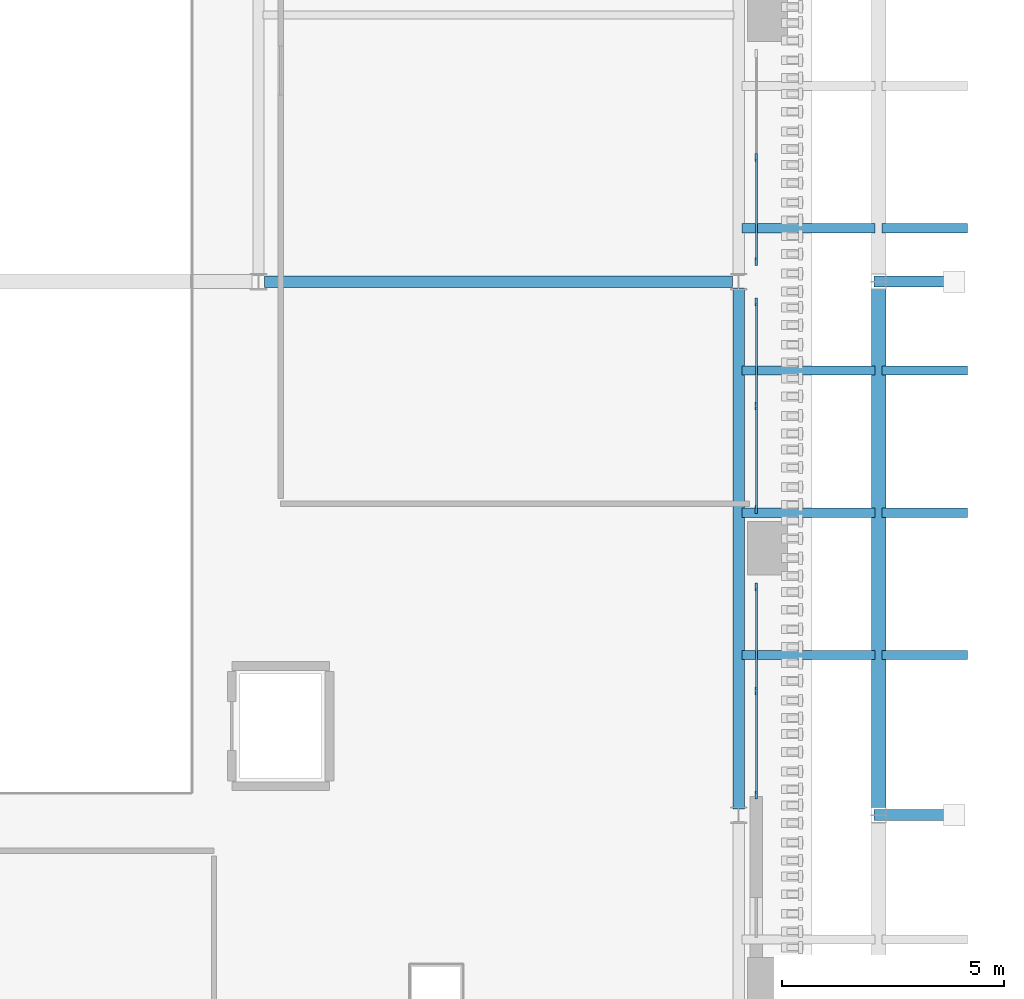
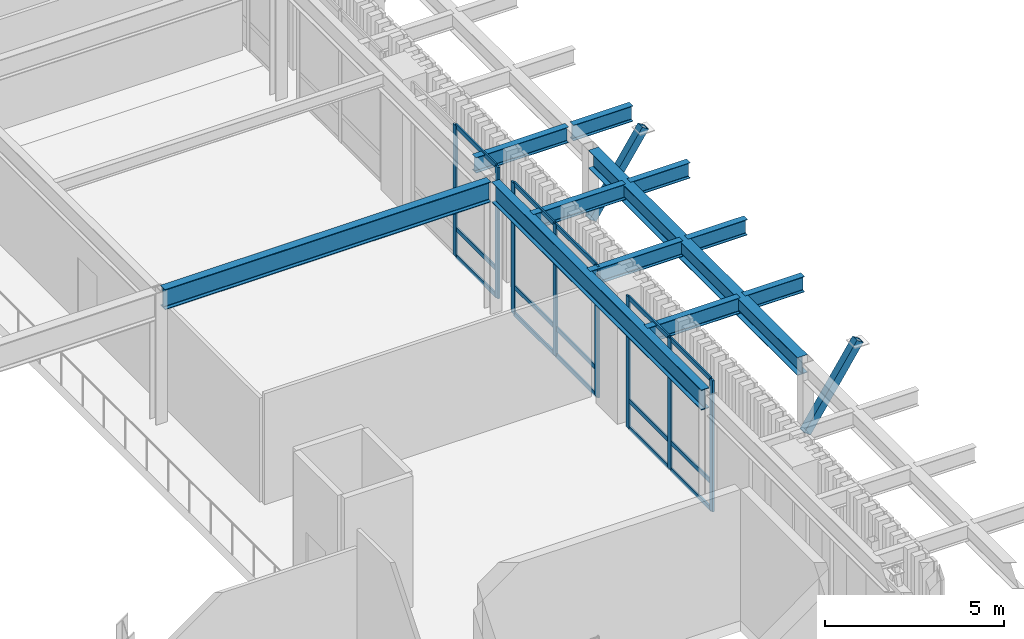
# One storey, part 48 of 126: 25 members, 11 beams, 3 elements without a shape of their own.
"""IFC4 building model written with IfcOpenShell, lengths in metres."""

from ifc_helpers import new_model, si_unit, derived_unit, direction, frame, origin, origin_2d, place, context, subcontext, project, spatial, rectangle, hollow_rectangle, i_section, extrude, material, layer, layer_set, material_profile, profile_set, type_object, element, aggregate, save


model = new_model("IFC4")

# Units and contexts
model_context = context("Model", 3, precision=1e-05, world=origin(), true_north=direction((0.0, 1.0)))
body_context = subcontext(model_context, "Body", "Model", "MODEL_VIEW")
ifc_project = project(units=[si_unit("LENGTHUNIT", "METRE"), si_unit("AREAUNIT", "SQUARE_METRE"), si_unit("VOLUMEUNIT", "CUBIC_METRE"), si_unit("PLANEANGLEUNIT", "RADIAN"), si_unit("MASSUNIT", "GRAM", prefix="KILO"), derived_unit("THERMALTRANSMITTANCEUNIT", [(si_unit("MASSUNIT", "GRAM", prefix="KILO"), 1), (si_unit("TIMEUNIT", "SECOND"), -3), (si_unit("THERMODYNAMICTEMPERATUREUNIT", "KELVIN"), -1)])], contexts=[model_context])

# Site, building, storey
site_placement = place(None, origin())
site = spatial("IfcSite", under=ifc_project, at=site_placement, CompositionType="ELEMENT")
building_placement = place(site_placement, origin())
building = spatial("IfcBuilding", under=site, at=building_placement, Name="Valcora Ridge Arena", CompositionType="ELEMENT")
storey_placement = place(building_placement, frame((0.0, 0.0, 11.39990234375)))
storey = spatial("IfcBuildingStorey", under=building, at=storey_placement, Name="L02", CompositionType="ELEMENT", Elevation=11.39990234375)

# Beams
ifc_material_1 = material(Name="Steel ASTM A572 Grade 50", Category="steel")
ifc_material_profile_1 = material_profile(ifc_material_1, i_section(OverallWidth=0.324951171875, OverallDepth=0.612060546875, WebThickness=0.0126953125, FlangeThickness=0.01904296875, FilletRadius=0.01806640625, at=origin_2d()), Name="W24X104")
ifc_profile_set_1 = profile_set([ifc_material_profile_1], Name="Steel ASTM A572 Grade 50")
beam_type_1 = type_object("IfcBeamType", Name="TY-BEAM-G-COL-W24", PredefinedType="BEAM", material=ifc_profile_set_1)
beam_1_placement = place(storey_placement, frame((189.949951171875, 16.159912109375, 4.174072265625), z_axis=(0.0, 1.0, 0.0), x_axis=(-1.0, 0.0, 0.0)))
element("IfcBeam", 1, at=beam_1_placement, inside=storey, type_object=beam_type_1, Name="G-COL-W24 BEM-G-COL-W24-0004", PredefinedType="BEAM", context=body_context, shape_type="SweptSolid", body=[
    extrude(i_section(OverallWidth=0.324951171875, OverallDepth=0.612060546875, WebThickness=0.0126953125, FlangeThickness=0.01904296875, FilletRadius=0.01806640625, at=origin_2d()), origin(), (0.0, 0.0, 1.0), 11.68017578125),
])
ifc_material_profile_2 = material_profile(ifc_material_1, i_section(OverallWidth=0.256103515625, OverallDepth=0.693115234375, WebThickness=0.014404296875, FlangeThickness=0.023681640625, FilletRadius=0.02001953125, at=origin_2d()), Name="W27X114")
ifc_profile_set_2 = profile_set([ifc_material_profile_2], Name="Steel ASTM A572 Grade 50")
beam_type_2 = type_object("IfcBeamType", Name="TY-BEAM-G-W27X114-X", PredefinedType="BEAM", material=ifc_profile_set_2)
beam_2_placement = place(storey_placement, frame((176.139892578125, 28.0, 4.133544921875), z_axis=(1.0, 0.0, 0.0), x_axis=(0.0, 1.0, 0.0)))
element("IfcBeam", 2, at=beam_2_placement, inside=storey, type_object=beam_type_2, Name="G-W27X114-X BEM-G-W27X114-X-0042", PredefinedType="BEAM", context=body_context, shape_type="SweptSolid", body=[
    extrude(i_section(OverallWidth=0.256103515625, OverallDepth=0.693115234375, WebThickness=0.014404296875, FlangeThickness=0.023681640625, FilletRadius=0.02001953125, at=origin_2d()), origin(), (0.0, 0.0, 1.0), 10.52001953125),
])
ifc_material_profile_3 = material_profile(ifc_material_1, i_section(OverallWidth=0.256103515625, OverallDepth=0.693115234375, WebThickness=0.014404296875, FlangeThickness=0.023681640625, FilletRadius=0.02001953125, at=origin_2d()), Name="W27X114")
ifc_profile_set_3 = profile_set([ifc_material_profile_3], Name="Steel ASTM A572 Grade 50")
beam_type_3 = type_object("IfcBeamType", Name="TY-BEAM-G-W27X114-Y", PredefinedType="BEAM", material=ifc_profile_set_3)
beam_3_placement = place(storey_placement, frame((186.800048828125, 16.139892578125, 4.133544921875), z_axis=(0.0, 1.0, 0.0), x_axis=(-1.0, 0.0, 0.0)))
element("IfcBeam", 3, at=beam_3_placement, inside=storey, type_object=beam_type_3, Name="G-W27X114-Y BEM-G-W27X114-Y-0080", PredefinedType="BEAM", context=body_context, shape_type="SweptSolid", body=[
    extrude(i_section(OverallWidth=0.256103515625, OverallDepth=0.693115234375, WebThickness=0.014404296875, FlangeThickness=0.023681640625, FilletRadius=0.02001953125, at=origin_2d()), origin(), (0.0, 0.0, 1.0), 11.72021484375),
])
ifc_material_profile_4 = material_profile(ifc_material_1, i_section(OverallWidth=0.208984375, OverallDepth=0.532958984375, WebThickness=0.01025390625, FlangeThickness=0.015625, FilletRadius=0.01611328125, at=origin_2d()), Name="W21X62")
ifc_profile_set_4 = profile_set([ifc_material_profile_4], Name="Steel ASTM A572 Grade 50")
beam_type_4 = type_object("IfcBeamType", Name="TY-BEAM-RAF-EAVE-W21E", PredefinedType="BEAM", material=ifc_profile_set_4)
for number, where, z_axis, x_axis, name in (
    (4, (186.8798828125, 19.60009765625, 4.213623046875), (1.0, 0.0, 0.0), (0.0, 1.0, 0.0), "RAF-EAVE-W21E BEM-RAF-EAVE-W21E-0004"),
    (5, (186.8798828125, 22.800048828125, 4.213623046875), (1.0, 0.0, 0.0), (0.0, 1.0, 0.0), "RAF-EAVE-W21E BEM-RAF-EAVE-W21E-0005"),
    (6, (186.8798828125, 26.0, 4.213623046875), (1.0, 0.0, 0.0), (0.0, 1.0, 0.0), "RAF-EAVE-W21E BEM-RAF-EAVE-W21E-0006"),
    (7, (186.8798828125, 29.199951171875, 4.213623046875), (1.0, 0.0, 0.0), (0.0, 1.0, 0.0), "RAF-EAVE-W21E BEM-RAF-EAVE-W21E-0007"),
):
    element("IfcBeam", number, at=place(storey_placement, frame(where, z_axis=z_axis, x_axis=x_axis)), inside=storey, type_object=beam_type_4, Name=name, PredefinedType="BEAM", context=body_context, shape_type="SweptSolid", body=[
        extrude(i_section(OverallWidth=0.208984375, OverallDepth=0.532958984375, WebThickness=0.01025390625, FlangeThickness=0.015625, FilletRadius=0.01611328125, at=origin_2d()), origin(), (0.0, 0.0, 1.0), 2.990234375),
    ])
ifc_material_profile_5 = material_profile(ifc_material_1, i_section(OverallWidth=0.208984375, OverallDepth=0.532958984375, WebThickness=0.01025390625, FlangeThickness=0.015625, FilletRadius=0.01611328125, at=origin_2d()), Name="W21X62")
ifc_profile_set_5 = profile_set([ifc_material_profile_5], Name="Steel ASTM A572 Grade 50")
beam_type_5 = type_object("IfcBeamType", Name="TY-BEAM-RAF-TIP-W21E", PredefinedType="BEAM", material=ifc_profile_set_5)
for number, where, z_axis, x_axis, name in (
    (8, (190.030029296875, 19.60009765625, 4.213623046875), (1.0, 0.0, 0.0), (0.0, 1.0, 0.0), "RAF-TIP-W21E BEM-RAF-TIP-W21E-0004"),
    (9, (190.030029296875, 22.800048828125, 4.213623046875), (1.0, 0.0, 0.0), (0.0, 1.0, 0.0), "RAF-TIP-W21E BEM-RAF-TIP-W21E-0005"),
    (10, (190.030029296875, 26.0, 4.213623046875), (1.0, 0.0, 0.0), (0.0, 1.0, 0.0), "RAF-TIP-W21E BEM-RAF-TIP-W21E-0006"),
    (11, (190.030029296875, 29.199951171875, 4.213623046875), (1.0, 0.0, 0.0), (0.0, 1.0, 0.0), "RAF-TIP-W21E BEM-RAF-TIP-W21E-0007"),
):
    element("IfcBeam", number, at=place(storey_placement, frame(where, z_axis=z_axis, x_axis=x_axis)), inside=storey, type_object=beam_type_5, Name=name, PredefinedType="BEAM", context=body_context, shape_type="SweptSolid", body=[
        extrude(i_section(OverallWidth=0.208984375, OverallDepth=0.532958984375, WebThickness=0.01025390625, FlangeThickness=0.015625, FilletRadius=0.01611328125, at=origin_2d()), origin(), (0.0, 0.0, 1.0), 1.919921875),
    ])

# Curtain wall, members
ifc_material_2 = material(Name="Anodised dark bronze architectural aluminium 6063-T6", Category="aluminium")
ifc_layer = layer(ifc_material_2, 0.179931640625, Name="Anodised dark bronze architectural aluminium 6063-T6")
ifc_layer_set = layer_set([ifc_layer], Name="Anodised dark bronze architectural aluminium 6063-T6")
curtain_wall_type = type_object("IfcCurtainWallType", Name="TY-CURTAINWALL-CW-V2-GLAZ-047X45", PredefinedType="NOTDEFINED", material=ifc_layer_set)
curtain_wall_1_placement = place(storey_placement, origin())
curtain_wall_1 = element("IfcCurtainWall", 12, at=curtain_wall_1_placement, inside=storey, type_object=curtain_wall_type, Name="CW-V2-GLAZ-047X45 CW-0071", PredefinedType="NOTDEFINED")
ifc_material_profile_6 = material_profile(ifc_material_2, rectangle(XDim=0.06005859375, YDim=0.179931640625, at=origin_2d()), Name="ALU MULLION 60x180")
ifc_profile_set_6 = profile_set([ifc_material_profile_6], Name="Anodised dark bronze architectural aluminium 6063-T6")
member_type_1 = type_object("IfcMemberType", Name="TY-MEM-CWM-60x180", PredefinedType="MULLION", material=ifc_profile_set_6)
member_1_placement = place(storey_placement, frame((187.199951171875, 16.45654296875, 0.0), z_axis=(0.0, 0.0, 1.0), x_axis=(-1.0, 0.0, 0.0)))
member_1 = element("IfcMember", 13, at=member_1_placement, type_object=member_type_1, Name="CW-0071/CWM-60x180/M00", PredefinedType="MULLION", context=body_context, shape_type="SweptSolid", body=[
    extrude(rectangle(XDim=0.06005859375, YDim=0.179931640625, at=origin_2d()), origin(), (0.0, 0.0, 1.0), 4.47998046875),
])
member_2_placement = place(storey_placement, frame((187.199951171875, 18.793212890625, 0.0), z_axis=(0.0, 0.0, 1.0), x_axis=(-1.0, 0.0, 0.0)))
member_2 = element("IfcMember", 14, at=member_2_placement, type_object=member_type_1, Name="CW-0071/CWM-60x180/M01", PredefinedType="MULLION", context=body_context, shape_type="SweptSolid", body=[
    extrude(rectangle(XDim=0.06005859375, YDim=0.179931640625, at=origin_2d()), origin(), (0.0, 0.0, 1.0), 4.47998046875),
])
member_3_placement = place(storey_placement, frame((187.199951171875, 21.1298828125, 0.0), z_axis=(0.0, 0.0, 1.0), x_axis=(-1.0, 0.0, 0.0)))
member_3 = element("IfcMember", 15, at=member_3_placement, type_object=member_type_1, Name="CW-0071/CWM-60x180/M02", PredefinedType="MULLION", context=body_context, shape_type="SweptSolid", body=[
    extrude(rectangle(XDim=0.06005859375, YDim=0.179931640625, at=origin_2d()), origin(), (0.0, 0.0, 1.0), 4.47998046875),
])

curtain_wall_2_placement = place(storey_placement, origin())
curtain_wall_2 = element("IfcCurtainWall", 16, at=curtain_wall_2_placement, inside=storey, type_object=curtain_wall_type, Name="CW-V2-GLAZ-047X45 CW-0072", PredefinedType="NOTDEFINED")
member_4_placement = place(storey_placement, frame((187.199951171875, 22.8701171875, 0.0), z_axis=(0.0, 0.0, 1.0), x_axis=(-1.0, 0.0, 0.0)))
member_4 = element("IfcMember", 17, at=member_4_placement, type_object=member_type_1, Name="CW-0072/CWM-60x180/M00", PredefinedType="MULLION", context=body_context, shape_type="SweptSolid", body=[
    extrude(rectangle(XDim=0.06005859375, YDim=0.179931640625, at=origin_2d()), origin(), (0.0, 0.0, 1.0), 4.47998046875),
])
member_5_placement = place(storey_placement, frame((187.199951171875, 25.206787109375, 0.0), z_axis=(0.0, 0.0, 1.0), x_axis=(-1.0, 0.0, 0.0)))
member_5 = element("IfcMember", 18, at=member_5_placement, type_object=member_type_1, Name="CW-0072/CWM-60x180/M01", PredefinedType="MULLION", context=body_context, shape_type="SweptSolid", body=[
    extrude(rectangle(XDim=0.06005859375, YDim=0.179931640625, at=origin_2d()), origin(), (0.0, 0.0, 1.0), 4.47998046875),
])
member_6_placement = place(storey_placement, frame((187.199951171875, 27.54345703125, 0.0), z_axis=(0.0, 0.0, 1.0), x_axis=(-1.0, 0.0, 0.0)))
member_6 = element("IfcMember", 19, at=member_6_placement, type_object=member_type_1, Name="CW-0072/CWM-60x180/M02", PredefinedType="MULLION", context=body_context, shape_type="SweptSolid", body=[
    extrude(rectangle(XDim=0.06005859375, YDim=0.179931640625, at=origin_2d()), origin(), (0.0, 0.0, 1.0), 4.47998046875),
])

curtain_wall_3_placement = place(storey_placement, origin())
curtain_wall_3 = element("IfcCurtainWall", 20, at=curtain_wall_3_placement, inside=storey, type_object=curtain_wall_type, Name="CW-V2-GLAZ-047X45 CW-0073", PredefinedType="NOTDEFINED")
member_7_placement = place(storey_placement, frame((187.199951171875, 28.45654296875, 0.0), z_axis=(0.0, 0.0, 1.0), x_axis=(-1.0, 0.0, 0.0)))
member_7 = element("IfcMember", 21, at=member_7_placement, type_object=member_type_1, Name="CW-0073/CWM-60x180/M00", PredefinedType="MULLION", context=body_context, shape_type="SweptSolid", body=[
    extrude(rectangle(XDim=0.06005859375, YDim=0.179931640625, at=origin_2d()), origin(), (0.0, 0.0, 1.0), 4.47998046875),
])
member_8_placement = place(storey_placement, frame((187.199951171875, 30.793212890625, 0.0), z_axis=(0.0, 0.0, 1.0), x_axis=(-1.0, 0.0, 0.0)))
member_8 = element("IfcMember", 22, at=member_8_placement, type_object=member_type_1, Name="CW-0073/CWM-60x180/M01", PredefinedType="MULLION", context=body_context, shape_type="SweptSolid", body=[
    extrude(rectangle(XDim=0.06005859375, YDim=0.179931640625, at=origin_2d()), origin(), (0.0, 0.0, 1.0), 4.47998046875),
])

# Member
ifc_material_profile_7 = material_profile(ifc_material_2, rectangle(XDim=0.050048828125, YDim=0.14990234375, at=origin_2d()), Name="ALU TRANSOM 50x150")
ifc_profile_set_7 = profile_set([ifc_material_profile_7], Name="Anodised dark bronze architectural aluminium 6063-T6")
member_type_2 = type_object("IfcMemberType", Name="TY-MEM-CWT-50x150", PredefinedType="USERDEFINED", material=ifc_profile_set_7)
member_9_placement = place(storey_placement, frame((187.199951171875, 16.486572265625, 0.025146484375), z_axis=(0.0, 1.0, 0.0), x_axis=(-1.0, 0.0, 0.0)))
member_9 = element("IfcMember", 23, at=member_9_placement, type_object=member_type_2, Name="CW-0071/CWT-50x150/T00-00", ObjectType="TRANSOM", PredefinedType="USERDEFINED", context=body_context, shape_type="SweptSolid", body=[
    extrude(rectangle(XDim=0.050048828125, YDim=0.14990234375, at=origin_2d()), origin(), (0.0, 0.0, 1.0), 2.27685546875),
])

member_10_placement = place(storey_placement, frame((187.199951171875, 16.486572265625, 0.9501953125), z_axis=(0.0, 1.0, 0.0), x_axis=(-1.0, 0.0, 0.0)))
member_10 = element("IfcMember", 24, at=member_10_placement, type_object=member_type_2, Name="CW-0071/CWT-50x150/T00-01", ObjectType="TRANSOM", PredefinedType="USERDEFINED", context=body_context, shape_type="SweptSolid", body=[
    extrude(rectangle(XDim=0.050048828125, YDim=0.14990234375, at=origin_2d()), origin(), (0.0, 0.0, 1.0), 2.27685546875),
])

member_11_placement = place(storey_placement, frame((187.199951171875, 16.486572265625, 4.455078125), z_axis=(0.0, 1.0, 0.0), x_axis=(-1.0, 0.0, 0.0)))
member_11 = element("IfcMember", 25, at=member_11_placement, type_object=member_type_2, Name="CW-0071/CWT-50x150/T00-02", ObjectType="TRANSOM", PredefinedType="USERDEFINED", context=body_context, shape_type="SweptSolid", body=[
    extrude(rectangle(XDim=0.050048828125, YDim=0.14990234375, at=origin_2d()), origin(), (0.0, 0.0, 1.0), 2.27685546875),
])

member_12_placement = place(storey_placement, frame((187.199951171875, 18.823486328125, 0.025146484375), z_axis=(0.0, 1.0, 0.0), x_axis=(-1.0, 0.0, 0.0)))
member_12 = element("IfcMember", 26, at=member_12_placement, type_object=member_type_2, Name="CW-0071/CWT-50x150/T01-00", ObjectType="TRANSOM", PredefinedType="USERDEFINED", context=body_context, shape_type="SweptSolid", body=[
    extrude(rectangle(XDim=0.050048828125, YDim=0.14990234375, at=origin_2d()), origin(), (0.0, 0.0, 1.0), 2.276123046875),
])

member_13_placement = place(storey_placement, frame((187.199951171875, 18.823486328125, 0.9501953125), z_axis=(0.0, 1.0, 0.0), x_axis=(-1.0, 0.0, 0.0)))
member_13 = element("IfcMember", 27, at=member_13_placement, type_object=member_type_2, Name="CW-0071/CWT-50x150/T01-01", ObjectType="TRANSOM", PredefinedType="USERDEFINED", context=body_context, shape_type="SweptSolid", body=[
    extrude(rectangle(XDim=0.050048828125, YDim=0.14990234375, at=origin_2d()), origin(), (0.0, 0.0, 1.0), 2.276123046875),
])

member_14_placement = place(storey_placement, frame((187.199951171875, 18.823486328125, 4.455078125), z_axis=(0.0, 1.0, 0.0), x_axis=(-1.0, 0.0, 0.0)))
member_14 = element("IfcMember", 28, at=member_14_placement, type_object=member_type_2, Name="CW-0071/CWT-50x150/T01-02", ObjectType="TRANSOM", PredefinedType="USERDEFINED", context=body_context, shape_type="SweptSolid", body=[
    extrude(rectangle(XDim=0.050048828125, YDim=0.14990234375, at=origin_2d()), origin(), (0.0, 0.0, 1.0), 2.276123046875),
])

aggregate(curtain_wall_1, [member_1, member_2, member_3, member_9, member_10, member_11, member_12, member_13, member_14])

member_15_placement = place(storey_placement, frame((187.199951171875, 22.89990234375, 0.025146484375), z_axis=(0.0, 1.0, 0.0), x_axis=(-1.0, 0.0, 0.0)))
member_15 = element("IfcMember", 29, at=member_15_placement, type_object=member_type_2, Name="CW-0072/CWT-50x150/T00-00", ObjectType="TRANSOM", PredefinedType="USERDEFINED", context=body_context, shape_type="SweptSolid", body=[
    extrude(rectangle(XDim=0.050048828125, YDim=0.14990234375, at=origin_2d()), origin(), (0.0, 0.0, 1.0), 2.277099609375),
])

member_16_placement = place(storey_placement, frame((187.199951171875, 22.89990234375, 0.9501953125), z_axis=(0.0, 1.0, 0.0), x_axis=(-1.0, 0.0, 0.0)))
member_16 = element("IfcMember", 30, at=member_16_placement, type_object=member_type_2, Name="CW-0072/CWT-50x150/T00-01", ObjectType="TRANSOM", PredefinedType="USERDEFINED", context=body_context, shape_type="SweptSolid", body=[
    extrude(rectangle(XDim=0.050048828125, YDim=0.14990234375, at=origin_2d()), origin(), (0.0, 0.0, 1.0), 2.277099609375),
])

member_17_placement = place(storey_placement, frame((187.199951171875, 22.89990234375, 4.455078125), z_axis=(0.0, 1.0, 0.0), x_axis=(-1.0, 0.0, 0.0)))
member_17 = element("IfcMember", 31, at=member_17_placement, type_object=member_type_2, Name="CW-0072/CWT-50x150/T00-02", ObjectType="TRANSOM", PredefinedType="USERDEFINED", context=body_context, shape_type="SweptSolid", body=[
    extrude(rectangle(XDim=0.050048828125, YDim=0.14990234375, at=origin_2d()), origin(), (0.0, 0.0, 1.0), 2.277099609375),
])

member_18_placement = place(storey_placement, frame((187.199951171875, 25.237060546875, 0.025146484375), z_axis=(0.0, 1.0, 0.0), x_axis=(-1.0, 0.0, 0.0)))
member_18 = element("IfcMember", 32, at=member_18_placement, type_object=member_type_2, Name="CW-0072/CWT-50x150/T01-00", ObjectType="TRANSOM", PredefinedType="USERDEFINED", context=body_context, shape_type="SweptSolid", body=[
    extrude(rectangle(XDim=0.050048828125, YDim=0.14990234375, at=origin_2d()), origin(), (0.0, 0.0, 1.0), 2.27587890625),
])

member_19_placement = place(storey_placement, frame((187.199951171875, 25.237060546875, 0.9501953125), z_axis=(0.0, 1.0, 0.0), x_axis=(-1.0, 0.0, 0.0)))
member_19 = element("IfcMember", 33, at=member_19_placement, type_object=member_type_2, Name="CW-0072/CWT-50x150/T01-01", ObjectType="TRANSOM", PredefinedType="USERDEFINED", context=body_context, shape_type="SweptSolid", body=[
    extrude(rectangle(XDim=0.050048828125, YDim=0.14990234375, at=origin_2d()), origin(), (0.0, 0.0, 1.0), 2.27587890625),
])

member_20_placement = place(storey_placement, frame((187.199951171875, 25.237060546875, 4.455078125), z_axis=(0.0, 1.0, 0.0), x_axis=(-1.0, 0.0, 0.0)))
member_20 = element("IfcMember", 34, at=member_20_placement, type_object=member_type_2, Name="CW-0072/CWT-50x150/T01-02", ObjectType="TRANSOM", PredefinedType="USERDEFINED", context=body_context, shape_type="SweptSolid", body=[
    extrude(rectangle(XDim=0.050048828125, YDim=0.14990234375, at=origin_2d()), origin(), (0.0, 0.0, 1.0), 2.27587890625),
])

aggregate(curtain_wall_2, [member_4, member_5, member_6, member_15, member_16, member_17, member_18, member_19, member_20])

member_21_placement = place(storey_placement, frame((187.199951171875, 28.486572265625, 0.025146484375), z_axis=(0.0, 1.0, 0.0), x_axis=(-1.0, 0.0, 0.0)))
member_21 = element("IfcMember", 35, at=member_21_placement, type_object=member_type_2, Name="CW-0073/CWT-50x150/T00-00", ObjectType="TRANSOM", PredefinedType="USERDEFINED", context=body_context, shape_type="SweptSolid", body=[
    extrude(rectangle(XDim=0.050048828125, YDim=0.14990234375, at=origin_2d()), origin(), (0.0, 0.0, 1.0), 2.27685546875),
])

member_22_placement = place(storey_placement, frame((187.199951171875, 28.486572265625, 0.9501953125), z_axis=(0.0, 1.0, 0.0), x_axis=(-1.0, 0.0, 0.0)))
member_22 = element("IfcMember", 36, at=member_22_placement, type_object=member_type_2, Name="CW-0073/CWT-50x150/T00-01", ObjectType="TRANSOM", PredefinedType="USERDEFINED", context=body_context, shape_type="SweptSolid", body=[
    extrude(rectangle(XDim=0.050048828125, YDim=0.14990234375, at=origin_2d()), origin(), (0.0, 0.0, 1.0), 2.27685546875),
])

member_23_placement = place(storey_placement, frame((187.199951171875, 28.486572265625, 4.455078125), z_axis=(0.0, 1.0, 0.0), x_axis=(-1.0, 0.0, 0.0)))
member_23 = element("IfcMember", 37, at=member_23_placement, type_object=member_type_2, Name="CW-0073/CWT-50x150/T00-02", ObjectType="TRANSOM", PredefinedType="USERDEFINED", context=body_context, shape_type="SweptSolid", body=[
    extrude(rectangle(XDim=0.050048828125, YDim=0.14990234375, at=origin_2d()), origin(), (0.0, 0.0, 1.0), 2.27685546875),
])

aggregate(curtain_wall_3, [member_7, member_8, member_21, member_22, member_23])

# Members
ifc_material_3 = material(Name="Steel ASTM A500 Grade C", Category="steel")
ifc_material_profile_8 = material_profile(ifc_material_3, hollow_rectangle(XDim=0.25, YDim=0.25, WallThickness=0.012451171875, at=origin_2d()), Name="HSS250X250X12")
ifc_profile_set_8 = profile_set([ifc_material_profile_8], Name="Steel ASTM A500 Grade C")
member_type_3 = type_object("IfcMemberType", Name="TY-MEMBER-KBG-250", PredefinedType="BRACE", material=ifc_profile_set_8)
for number, where, z_axis, x_axis, name in (
    (38, (189.949951171875, 16.0, 2.0), (0.55317758564, 0.0, 0.833063358182), (0.0, 1.0, 0.0), "KBG-250 Knee Brace"),
    (39, (189.949951171875, 28.0, 2.0), (0.55317758564, 0.0, 0.833063358182), (0.0, 1.0, 0.0), "KBG-250 Knee Brace"),
):
    element("IfcMember", number, at=place(storey_placement, frame(where, z_axis=z_axis, x_axis=x_axis)), inside=storey, type_object=member_type_3, Name=name, PredefinedType="BRACE", context=body_context, shape_type="SweptSolid", body=[
        extrude(hollow_rectangle(XDim=0.25, YDim=0.25, WallThickness=0.012451171875, at=origin_2d()), origin(), (0.0, 0.0, 1.0), 3.072998046875),
    ])

save(model, "model.ifc")
